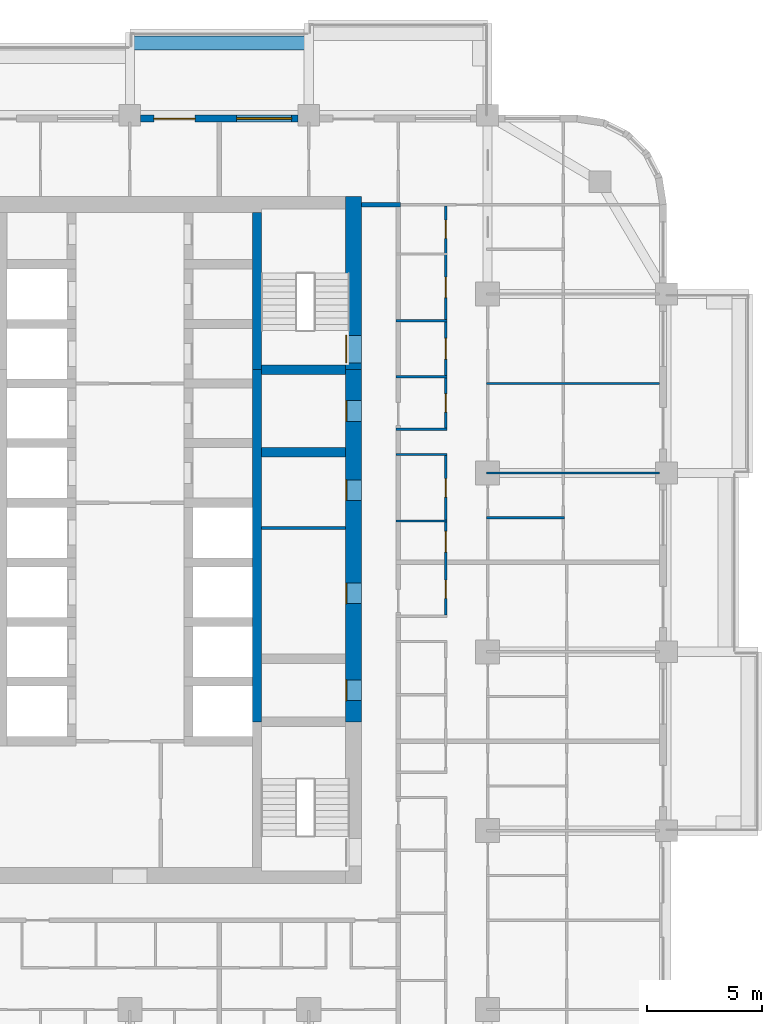
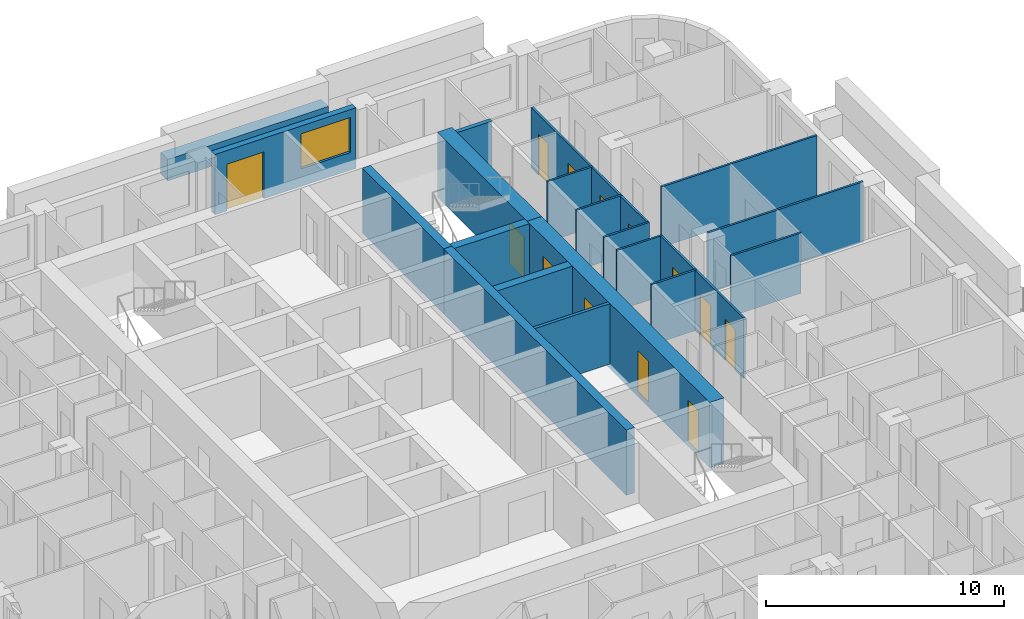
# One storey, part 12 of 17: 20 walls, 13 doors, 1 window, 14 openings.
"""IFC4 building model written with IfcOpenShell, lengths in metres."""

from ifc_helpers import new_model, si_unit, direction, frame, frame_2d, origin, place, context, subcontext, project, spatial, rectangle, extrude, material, layer, layer_set, type_object, element, fill, save


model = new_model("IFC4")

# Units and contexts
model_context = context("Model", 3, precision=1e-05, world=origin(), true_north=direction((0.0, 1.0)))
body_context = subcontext(model_context, "Body", "Model", "MODEL_VIEW")
ifc_project = project(units=[si_unit("LENGTHUNIT", "METRE"), si_unit("AREAUNIT", "SQUARE_METRE"), si_unit("VOLUMEUNIT", "CUBIC_METRE"), si_unit("PLANEANGLEUNIT", "RADIAN"), si_unit("MASSUNIT", "GRAM", prefix="KILO")], contexts=[model_context])

# Site, building, storey
site_placement = place(None, origin())
site = spatial("IfcSite", under=ifc_project, at=site_placement, CompositionType="ELEMENT")
building_placement = place(site_placement, origin())
building = spatial("IfcBuilding", under=site, at=building_placement, Name="Ludao Terraces", CompositionType="ELEMENT")
storey_placement = place(building_placement, frame((0.0, 0.0, 92.0)))
storey = spatial("IfcBuildingStorey", under=building, at=storey_placement, Name="L25", CompositionType="ELEMENT", Elevation=92.0)

# Wall, openings, doors
ifc_material_1 = material(Name="Concrete C70", Category="concrete")
ifc_layer_1 = layer(ifc_material_1, 0.699951171875)
ifc_layer_set_1 = layer_set([ifc_layer_1], Name="Core wall 700 C70")
wall_type_1 = type_object("IfcWallType", Name="Core wall 700 C70", PredefinedType="SOLIDWALL", material=ifc_layer_set_1)
wall_1_placement = place(storey_placement, frame((94.75, 61.949951171875, -0.25), z_axis=(0.0, 0.0, 1.0), x_axis=(0.0, 1.0, 0.0)))
wall_1 = element("IfcWall", 1, at=wall_1_placement, inside=storey, type_object=wall_type_1, Name="Core wall L25 outer-E", PredefinedType="SOLIDWALL", context=body_context, shape_type="SweptSolid", body=[
    extrude(rectangle(XDim=15.35009765625, YDim=0.699951171875, at=frame_2d((7.675048828125, 0.0))), origin(), (0.0, 0.0, 1.0), 3.35009765625),
])
opening_1_placement = place(wall_1_placement, frame((0.925048828125, 0.0, 0.25)))
opening_1 = element("IfcOpeningElement", 2, at=opening_1_placement, cuts=wall_1, Name="Opening R07-080", PredefinedType="OPENING", context=body_context, shape_type="SweptSolid", body=[
    extrude(rectangle(XDim=0.89990234375, YDim=2.10009765625, at=frame_2d((0.449951171875, 1.050048828125))), frame((0.0, 0.35986328125, 0.0), z_axis=(0.0, -1.0, 0.0), x_axis=(1.0, 0.0, 0.0)), (0.0, 0.0, 1.0), 0.719970703125),
])
opening_2_placement = place(wall_1_placement, frame((5.14990234375, 0.0, 0.25)))
opening_2 = element("IfcOpeningElement", 3, at=opening_2_placement, cuts=wall_1, Name="Opening R07-091", PredefinedType="OPENING", context=body_context, shape_type="SweptSolid", body=[
    extrude(rectangle(XDim=0.89990234375, YDim=2.10009765625, at=frame_2d((0.449951171875, 1.050048828125))), frame((0.0, 0.35986328125, 0.0), z_axis=(0.0, -1.0, 0.0), x_axis=(1.0, 0.0, 0.0)), (0.0, 0.0, 1.0), 0.719970703125),
])
opening_3_placement = place(wall_1_placement, frame((9.64990234375, 0.0, 0.25)))
opening_3 = element("IfcOpeningElement", 4, at=opening_3_placement, cuts=wall_1, Name="Opening R07-108", PredefinedType="OPENING", context=body_context, shape_type="SweptSolid", body=[
    extrude(rectangle(XDim=0.89990234375, YDim=2.10009765625, at=frame_2d((0.449951171875, 1.050048828125))), frame((0.0, 0.35986328125, 0.0), z_axis=(0.0, -1.0, 0.0), x_axis=(1.0, 0.0, 0.0)), (0.0, 0.0, 1.0), 0.719970703125),
])
opening_4_placement = place(wall_1_placement, frame((13.10009765625, 0.0, 0.25)))
opening_4 = element("IfcOpeningElement", 5, at=opening_4_placement, cuts=wall_1, Name="Opening R07-120", PredefinedType="OPENING", context=body_context, shape_type="SweptSolid", body=[
    extrude(rectangle(XDim=0.89990234375, YDim=2.10009765625, at=frame_2d((0.449951171875, 1.050048828125))), frame((0.0, 0.35986328125, 0.0), z_axis=(0.0, -1.0, 0.0), x_axis=(1.0, 0.0, 0.0)), (0.0, 0.0, 1.0), 0.719970703125),
])
ifc_material_2 = material(Name="Steel Q235", Category="steel")
door_type_1 = type_object("IfcDoorType", Name="INT Riser door 900", OperationType="SINGLE_SWING_LEFT", PredefinedType="DOOR", material=ifc_material_2)
door_1_placement = place(opening_1_placement, origin())
door_1 = element("IfcDoor", 6, at=door_1_placement, inside=storey, type_object=door_type_1, Name="DOOR 080", OperationType="SINGLE_SWING_RIGHT", OverallHeight=2.10009765625, OverallWidth=0.89990234375, PredefinedType="DOOR", context=body_context, shape_type="SweptSolid", body=[
    extrude(rectangle(XDim=0.89990234375, YDim=2.10009765625, at=frame_2d((0.449951171875, 1.050048828125))), frame((0.0, 0.3349609375, 0.0), z_axis=(0.0, -1.0, 0.0), x_axis=(1.0, 0.0, 0.0)), (0.0, 0.0, 1.0), 0.050048828125),
])
fill(opening_1, door_1)
door_2_placement = place(opening_4_placement, origin())
door_2 = element("IfcDoor", 7, at=door_2_placement, inside=storey, type_object=door_type_1, Name="DOOR 120", OperationType="SINGLE_SWING_LEFT", OverallHeight=2.10009765625, OverallWidth=0.89990234375, PredefinedType="DOOR", context=body_context, shape_type="SweptSolid", body=[
    extrude(rectangle(XDim=0.89990234375, YDim=2.10009765625, at=frame_2d((0.449951171875, 1.050048828125))), frame((0.0, 0.3349609375, 0.0), z_axis=(0.0, -1.0, 0.0), x_axis=(1.0, 0.0, 0.0)), (0.0, 0.0, 1.0), 0.050048828125),
])
fill(opening_4, door_2)
ifc_material_3 = material(Name="Timber door leaf", Category="wood")
door_type_2 = type_object("IfcDoorType", Name="INT Room door 900", OperationType="SINGLE_SWING_LEFT", PredefinedType="DOOR", material=ifc_material_3)
door_3_placement = place(opening_2_placement, origin())
door_3 = element("IfcDoor", 8, at=door_3_placement, inside=storey, type_object=door_type_2, Name="DOOR 091", OperationType="SINGLE_SWING_LEFT", OverallHeight=2.10009765625, OverallWidth=0.89990234375, PredefinedType="DOOR", context=body_context, shape_type="SweptSolid", body=[
    extrude(rectangle(XDim=0.89990234375, YDim=2.10009765625, at=frame_2d((0.449951171875, 1.050048828125))), frame((0.0, 0.3349609375, 0.0), z_axis=(0.0, -1.0, 0.0), x_axis=(1.0, 0.0, 0.0)), (0.0, 0.0, 1.0), 0.050048828125),
])
fill(opening_2, door_3)
door_4_placement = place(opening_3_placement, origin())
door_4 = element("IfcDoor", 9, at=door_4_placement, inside=storey, type_object=door_type_2, Name="DOOR 108", OperationType="SINGLE_SWING_RIGHT", OverallHeight=2.10009765625, OverallWidth=0.89990234375, PredefinedType="DOOR", context=body_context, shape_type="SweptSolid", body=[
    extrude(rectangle(XDim=0.89990234375, YDim=2.10009765625, at=frame_2d((0.449951171875, 1.050048828125))), frame((0.0, 0.3349609375, 0.0), z_axis=(0.0, -1.0, 0.0), x_axis=(1.0, 0.0, 0.0)), (0.0, 0.0, 1.0), 0.050048828125),
])
fill(opening_3, door_4)

# Wall, opening, door
wall_2_placement = place(storey_placement, frame((94.75, 77.300048828125, -0.25), z_axis=(0.0, 0.0, 1.0), x_axis=(0.0, 1.0, 0.0)))
wall_2 = element("IfcWall", 10, at=wall_2_placement, inside=storey, type_object=wall_type_1, Name="Core wall L25 outer-E-S2", PredefinedType="SOLIDWALL", context=body_context, shape_type="SweptSolid", body=[
    extrude(rectangle(XDim=7.550048828125, YDim=0.699951171875, at=frame_2d((3.77490234375, 0.0))), origin(), (0.0, 0.0, 1.0), 3.35009765625),
])
opening_5_placement = place(wall_2_placement, frame((0.300048828125, 0.0, 0.25)))
opening_5 = element("IfcOpeningElement", 11, at=opening_5_placement, cuts=wall_2, Name="Opening R07-132", PredefinedType="OPENING", context=body_context, shape_type="SweptSolid", body=[
    extrude(rectangle(XDim=1.199951171875, YDim=2.10009765625, at=frame_2d((0.60009765625, 1.050048828125))), frame((0.0, 0.35986328125, 0.0), z_axis=(0.0, -1.0, 0.0), x_axis=(1.0, 0.0, 0.0)), (0.0, 0.0, 1.0), 0.719970703125),
])
door_type_3 = type_object("IfcDoorType", Name="INT Stair door 1200", OperationType="DOUBLE_DOOR_SINGLE_SWING", PredefinedType="DOOR", material=ifc_material_2)
door_5_placement = place(opening_5_placement, origin())
door_5 = element("IfcDoor", 12, at=door_5_placement, inside=storey, type_object=door_type_3, Name="DOOR 132", OperationType="DOUBLE_DOOR_SINGLE_SWING", OverallHeight=2.10009765625, OverallWidth=1.199951171875, PredefinedType="DOOR", context=body_context, shape_type="SweptSolid", body=[
    extrude(rectangle(XDim=1.199951171875, YDim=2.10009765625, at=frame_2d((0.60009765625, 1.050048828125))), frame((0.0, 0.3349609375, 0.0), z_axis=(0.0, -1.0, 0.0), x_axis=(1.0, 0.0, 0.0)), (0.0, 0.0, 1.0), 0.050048828125),
])
fill(opening_5, door_5)

# Wall
ifc_material_4 = material(Name="Concrete C40", Category="concrete")
ifc_layer_2 = layer(ifc_material_4, 0.60009765625)
ifc_layer_set_2 = layer_set([ifc_layer_2], Name="ENV Planter trough 600")
wall_type_2 = type_object("IfcWallType", Name="ENV Planter trough 600", PredefinedType="USERDEFINED", material=ifc_layer_set_2)
wall_3_placement = place(storey_placement, frame((85.0, 91.550048828125, 0.0), z_axis=(0.0, 0.0, 1.0), x_axis=(1.0, 0.0, 0.0)))
element("IfcWall", 13, at=wall_3_placement, inside=storey, type_object=wall_type_2, Name="PL-L25-N3", ObjectType="PLANTER", PredefinedType="USERDEFINED", context=body_context, shape_type="SweptSolid", body=[
    extrude(rectangle(XDim=7.800048828125, YDim=0.60009765625, at=frame_2d((3.89990234375, 0.0))), origin(), (0.0, 0.0, 1.0), 1.10009765625),
])

# Wall, openings, door, window
ifc_material_5 = material(Name="Granite cladding", Category="masonry")
ifc_layer_3 = layer(ifc_material_5, 0.0400390625, Category="stone")
ifc_material_6 = material(Name="Mineral wool")
ifc_layer_4 = layer(ifc_material_6, 0.06005859375)
ifc_layer_5 = layer(ifc_material_4, 0.199951171875, Category="concrete")
ifc_layer_set_3 = layer_set([ifc_layer_3, ifc_layer_4, ifc_layer_5], Name="ENV Stone-clad wall 300")
wall_type_3 = type_object("IfcWallType", Name="ENV Stone-clad wall 300", PredefinedType="SOLIDWALL", material=ifc_layer_set_3)
wall_4_placement = place(storey_placement, frame((85.47509765625, 88.25, 0.0), z_axis=(0.0, 0.0, 1.0), x_axis=(1.0, 0.0, 0.0)))
wall_4 = element("IfcWall", 14, at=wall_4_placement, inside=storey, type_object=wall_type_3, Name="EW-L25-N4", PredefinedType="SOLIDWALL", context=body_context, shape_type="SweptSolid", body=[
    extrude(rectangle(XDim=6.849853515625, YDim=0.300048828125, at=frame_2d((3.4248046875, 0.0))), origin(), (0.0, 0.0, 1.0), 3.10009765625),
])
opening_6_placement = place(wall_4_placement, frame((0.574951171875, 0.0, 0.0)))
opening_6 = element("IfcOpeningElement", 15, at=opening_6_placement, cuts=wall_4, Name="Opening BD", PredefinedType="OPENING", context=body_context, shape_type="SweptSolid", body=[
    extrude(rectangle(XDim=1.800048828125, YDim=2.39990234375, at=frame_2d((0.89990234375, 1.199951171875))), frame((0.0, 0.16015625, 0.0), z_axis=(0.0, -1.0, 0.0), x_axis=(1.0, 0.0, 0.0)), (0.0, 0.0, 1.0), 0.320068359375),
])
opening_7_placement = place(wall_4_placement, frame((4.175048828125, 0.0, 0.89990234375)))
opening_7 = element("IfcOpeningElement", 16, at=opening_7_placement, cuts=wall_4, Name="Opening W1", PredefinedType="OPENING", context=body_context, shape_type="SweptSolid", body=[
    extrude(rectangle(XDim=2.39990234375, YDim=1.800048828125, at=frame_2d((1.199951171875, 0.89990234375))), frame((0.0, 0.16015625, 0.0), z_axis=(0.0, -1.0, 0.0), x_axis=(1.0, 0.0, 0.0)), (0.0, 0.0, 1.0), 0.320068359375),
])
ifc_material_7 = material(Name="Aluminium glazed door", Category="aluminium")
ifc_layer_6 = layer(ifc_material_7, 0.06005859375)
ifc_layer_set_4 = layer_set([ifc_layer_6], Name="ENV Balcony door BD 1800x2400")
door_type_4 = type_object("IfcDoorType", Name="ENV Balcony door BD 1800x2400", OperationType="DOUBLE_DOOR_SINGLE_SWING", PredefinedType="DOOR", material=ifc_layer_set_4)
door_6_placement = place(opening_6_placement, origin())
door_6 = element("IfcDoor", 17, at=door_6_placement, inside=storey, type_object=door_type_4, Name="BD-L25-N4-1", OperationType="DOUBLE_DOOR_SINGLE_SWING", OverallHeight=2.39990234375, OverallWidth=1.800048828125, PredefinedType="DOOR", context=body_context, shape_type="SweptSolid", body=[
    extrude(rectangle(XDim=1.800048828125, YDim=2.39990234375, at=frame_2d((0.89990234375, 1.199951171875))), frame((0.0, 0.02490234375, 0.0), z_axis=(0.0, -1.0, 0.0), x_axis=(1.0, 0.0, 0.0)), (0.0, 0.0, 1.0), 0.050048828125),
])
fill(opening_6, door_6)
ifc_material_8 = material(Name="Clear glass in aluminium frame", Category="aluminium")
ifc_layer_7 = layer(ifc_material_8, 0.06005859375)
ifc_layer_set_5 = layer_set([ifc_layer_7], Name="ENV Window W1 2400x1800")
window_type = type_object("IfcWindowType", Name="ENV Window W1 2400x1800", PartitioningType="DOUBLE_PANEL_VERTICAL", PredefinedType="WINDOW", material=ifc_layer_set_5)
window_placement = place(opening_7_placement, origin())
window = element("IfcWindow", 18, at=window_placement, inside=storey, type_object=window_type, Name="W-L25-N4-2", OverallHeight=1.800048828125, OverallWidth=2.39990234375, PartitioningType="DOUBLE_PANEL_VERTICAL", PredefinedType="WINDOW", context=body_context, shape_type="SweptSolid", body=[
    extrude(rectangle(XDim=2.39990234375, YDim=1.800048828125, at=frame_2d((1.199951171875, 0.89990234375))), frame((0.0, 0.030029296875, 0.0), z_axis=(0.0, -1.0, 0.0), x_axis=(1.0, 0.0, 0.0)), (0.0, 0.0, 1.0), 0.06005859375),
])
fill(opening_7, window)

# Walls
ifc_material_9 = material(Name="Fire-rated gypsum plasterboard", Category="gypsum")
ifc_layer_8 = layer(ifc_material_9, 0.012451171875, Category="gypsum")
ifc_layer_9 = layer(ifc_material_6, 0.10009765625, Name="insulation")
ifc_layer_10 = layer(ifc_material_2, 0.02490234375, Name="stud")
ifc_layer_11 = layer(ifc_material_9, 0.012451171875, Category="gypsum")
ifc_layer_set_6 = layer_set([ifc_layer_8, ifc_layer_9, ifc_layer_10, ifc_layer_11], Name="INT Core partition 150")
wall_type_4 = type_object("IfcWallType", Name="INT Core partition 150", PredefinedType="PARTITIONING", material=ifc_layer_set_6)
wall_5_placement = place(storey_placement, frame((90.75, 70.39990234375, 0.0), z_axis=(0.0, 0.0, 1.0), x_axis=(1.0, 0.0, 0.0)))
element("IfcWall", 19, at=wall_5_placement, inside=storey, type_object=wall_type_4, Name="PW-L25-PW048", PredefinedType="PARTITIONING", context=body_context, shape_type="SweptSolid", body=[
    extrude(rectangle(XDim=3.650146484375, YDim=0.14990234375, at=frame_2d((1.8251953125, 0.0))), origin(), (0.0, 0.0, 1.0), 3.10009765625),
])
ifc_material_10 = material(Name="Autoclaved aerated concrete block B06 A3.5", Category="concrete")
ifc_layer_12 = layer(ifc_material_10, 0.199951171875)
ifc_layer_set_7 = layer_set([ifc_layer_12], Name="INT Entrance wall 200")
wall_type_5 = type_object("IfcWallType", Name="INT Entrance wall 200", PredefinedType="PARTITIONING", material=ifc_layer_set_7)
wall_6_placement = place(storey_placement, frame((95.10009765625, 84.5, 0.0), z_axis=(0.0, 0.0, 1.0), x_axis=(1.0, 0.0, 0.0)))
element("IfcWall", 20, at=wall_6_placement, inside=storey, type_object=wall_type_5, Name="PW-L25-PW077", PredefinedType="PARTITIONING", context=body_context, shape_type="SweptSolid", body=[
    extrude(rectangle(XDim=1.699951171875, YDim=0.199951171875, at=frame_2d((0.85009765625, 0.0))), origin(), (0.0, 0.0, 1.0), 3.10009765625),
])
ifc_material_11 = material(Name="Gypsum plasterboard", Category="gypsum")
ifc_layer_13 = layer(ifc_material_11, 0.012451171875, Category="gypsum")
ifc_layer_14 = layer(ifc_material_6, 0.06005859375, Name="insulation")
ifc_layer_15 = layer(ifc_material_2, 0.014892578125, Name="stud")
ifc_layer_16 = layer(ifc_material_11, 0.012451171875, Category="gypsum")
ifc_layer_set_8 = layer_set([ifc_layer_13, ifc_layer_14, ifc_layer_15, ifc_layer_16], Name="INT Partition 100")
wall_type_6 = type_object("IfcWallType", Name="INT Partition 100", PredefinedType="PARTITIONING", material=ifc_layer_set_8)
wall_7_placement = place(storey_placement, frame((96.60009765625, 70.699951171875, 0.0), z_axis=(0.0, 0.0, 1.0), x_axis=(1.0, 0.0, 0.0)))
element("IfcWall", 21, at=wall_7_placement, inside=storey, type_object=wall_type_6, Name="PW-L25-PW049", PredefinedType="PARTITIONING", context=body_context, shape_type="SweptSolid", body=[
    extrude(rectangle(XDim=2.219970703125, YDim=0.10009765625, at=frame_2d((1.10986328125, 0.0))), origin(), (0.0, 0.0, 1.0), 3.10009765625),
])
wall_8_placement = place(storey_placement, frame((100.550048828125, 70.85009765625, 0.0), z_axis=(0.0, 0.0, 1.0), x_axis=(1.0, 0.0, 0.0)))
element("IfcWall", 22, at=wall_8_placement, inside=storey, type_object=wall_type_6, Name="PW-L25-PW051", PredefinedType="PARTITIONING", context=body_context, shape_type="SweptSolid", body=[
    extrude(rectangle(XDim=3.400146484375, YDim=0.10009765625, at=frame_2d((1.7001953125, 0.0))), origin(), (0.0, 0.0, 1.0), 3.10009765625),
])
wall_9_placement = place(storey_placement, frame((100.550048828125, 72.800048828125, 0.0), z_axis=(0.0, 0.0, 1.0), x_axis=(1.0, 0.0, 0.0)))
element("IfcWall", 23, at=wall_9_placement, inside=storey, type_object=wall_type_6, Name="PW-L25-PW055", PredefinedType="PARTITIONING", context=body_context, shape_type="SweptSolid", body=[
    extrude(rectangle(XDim=7.550048828125, YDim=0.10009765625, at=frame_2d((3.77490234375, 0.0))), origin(), (0.0, 0.0, 1.0), 3.10009765625),
])
for number, where, z_axis, x_axis, name in (
    (24, (96.60009765625, 73.60009765625, 0.0), (0.0, 0.0, 1.0), (1.0, 0.0, 0.0), "PW-L25-PW056"),
    (25, (96.60009765625, 74.699951171875, 0.0), (0.0, 0.0, 1.0), (1.0, 0.0, 0.0), "PW-L25-PW058"),
):
    element("IfcWall", number, at=place(storey_placement, frame(where, z_axis=z_axis, x_axis=x_axis)), inside=storey, type_object=wall_type_6, Name=name, PredefinedType="PARTITIONING", context=body_context, shape_type="SweptSolid", body=[
        extrude(rectangle(XDim=2.219970703125, YDim=0.10009765625, at=frame_2d((1.10986328125, 0.0))), origin(), (0.0, 0.0, 1.0), 3.10009765625),
    ])
wall_10_placement = place(storey_placement, frame((100.550048828125, 76.699951171875, 0.0), z_axis=(0.0, 0.0, 1.0), x_axis=(1.0, 0.0, 0.0)))
element("IfcWall", 26, at=wall_10_placement, inside=storey, type_object=wall_type_6, Name="PW-L25-PW063", PredefinedType="PARTITIONING", context=body_context, shape_type="SweptSolid", body=[
    extrude(rectangle(XDim=7.550048828125, YDim=0.10009765625, at=frame_2d((3.77490234375, 0.0))), origin(), (0.0, 0.0, 1.0), 3.10009765625),
])
for number, where, z_axis, x_axis, name in (
    (27, (96.60009765625, 77.0, 0.0), (0.0, 0.0, 1.0), (1.0, 0.0, 0.0), "PW-L25-PW064"),
    (28, (96.60009765625, 79.429931640625, 0.0), (0.0, 0.0, 1.0), (1.0, 0.0, 0.0), "PW-L25-PW067"),
):
    element("IfcWall", number, at=place(storey_placement, frame(where, z_axis=z_axis, x_axis=x_axis)), inside=storey, type_object=wall_type_6, Name=name, PredefinedType="PARTITIONING", context=body_context, shape_type="SweptSolid", body=[
        extrude(rectangle(XDim=2.219970703125, YDim=0.10009765625, at=frame_2d((1.10986328125, 0.0))), origin(), (0.0, 0.0, 1.0), 3.10009765625),
    ])

# Wall, openings, doors
wall_11_placement = place(storey_placement, frame((98.77001953125, 66.60009765625, 0.0), z_axis=(0.0, 0.0, 1.0), x_axis=(0.0, 1.0, 0.0)))
wall_11 = element("IfcWall", 29, at=wall_11_placement, inside=storey, type_object=wall_type_6, Name="PW-L25-PW119", PredefinedType="PARTITIONING", context=body_context, shape_type="SweptSolid", body=[
    extrude(rectangle(XDim=6.949951171875, YDim=0.10009765625, at=frame_2d((3.47509765625, 0.0))), origin(), (0.0, 0.0, 1.0), 3.10009765625),
])
opening_8_placement = place(wall_11_placement, frame((0.72509765625, 0.0, 0.0)))
opening_8 = element("IfcOpeningElement", 30, at=opening_8_placement, cuts=wall_11, Name="Opening R07-093", PredefinedType="OPENING", context=body_context, shape_type="SweptSolid", body=[
    extrude(rectangle(XDim=0.800048828125, YDim=2.10009765625, at=frame_2d((0.39990234375, 1.050048828125))), frame((0.0, 0.06005859375, 0.0), z_axis=(0.0, -1.0, 0.0), x_axis=(1.0, 0.0, 0.0)), (0.0, 0.0, 1.0), 0.1201171875),
])
opening_9_placement = place(wall_11_placement, frame((2.75, 0.0, 0.0)))
opening_9 = element("IfcOpeningElement", 31, at=opening_9_placement, cuts=wall_11, Name="Opening R07-097", PredefinedType="OPENING", context=body_context, shape_type="SweptSolid", body=[
    extrude(rectangle(XDim=0.89990234375, YDim=2.10009765625, at=frame_2d((0.449951171875, 1.050048828125))), frame((0.0, 0.06005859375, 0.0), z_axis=(0.0, -1.0, 0.0), x_axis=(1.0, 0.0, 0.0)), (0.0, 0.0, 1.0), 0.1201171875),
])
opening_10_placement = place(wall_11_placement, frame((5.14990234375, 0.0, 0.0)))
opening_10 = element("IfcOpeningElement", 32, at=opening_10_placement, cuts=wall_11, Name="Opening R07-109", PredefinedType="OPENING", context=body_context, shape_type="SweptSolid", body=[
    extrude(rectangle(XDim=0.800048828125, YDim=2.10009765625, at=frame_2d((0.39990234375, 1.050048828125))), frame((0.0, 0.06005859375, 0.0), z_axis=(0.0, -1.0, 0.0), x_axis=(1.0, 0.0, 0.0)), (0.0, 0.0, 1.0), 0.1201171875),
])
door_type_5 = type_object("IfcDoorType", Name="INT Bathroom door 900", OperationType="SINGLE_SWING_LEFT", PredefinedType="DOOR", material=ifc_material_3)
door_7_placement = place(opening_9_placement, origin())
door_7 = element("IfcDoor", 33, at=door_7_placement, inside=storey, type_object=door_type_5, Name="DOOR 097", OperationType="SINGLE_SWING_LEFT", OverallHeight=2.10009765625, OverallWidth=0.89990234375, PredefinedType="DOOR", context=body_context, shape_type="SweptSolid", body=[
    extrude(rectangle(XDim=0.89990234375, YDim=2.10009765625, at=frame_2d((0.449951171875, 1.050048828125))), frame((0.0, 0.02490234375, 0.0), z_axis=(0.0, -1.0, 0.0), x_axis=(1.0, 0.0, 0.0)), (0.0, 0.0, 1.0), 0.050048828125),
])
fill(opening_9, door_7)
door_type_6 = type_object("IfcDoorType", Name="INT Store door 800", OperationType="SINGLE_SWING_LEFT", PredefinedType="DOOR", material=ifc_material_3)
door_8_placement = place(opening_8_placement, origin())
door_8 = element("IfcDoor", 34, at=door_8_placement, inside=storey, type_object=door_type_6, Name="DOOR 093", OperationType="SINGLE_SWING_RIGHT", OverallHeight=2.10009765625, OverallWidth=0.800048828125, PredefinedType="DOOR", context=body_context, shape_type="SweptSolid", body=[
    extrude(rectangle(XDim=0.800048828125, YDim=2.10009765625, at=frame_2d((0.39990234375, 1.050048828125))), frame((0.0, 0.02490234375, 0.0), z_axis=(0.0, -1.0, 0.0), x_axis=(1.0, 0.0, 0.0)), (0.0, 0.0, 1.0), 0.050048828125),
])
fill(opening_8, door_8)
door_9_placement = place(opening_10_placement, origin())
door_9 = element("IfcDoor", 35, at=door_9_placement, inside=storey, type_object=door_type_6, Name="DOOR 109", OperationType="SINGLE_SWING_RIGHT", OverallHeight=2.10009765625, OverallWidth=0.800048828125, PredefinedType="DOOR", context=body_context, shape_type="SweptSolid", body=[
    extrude(rectangle(XDim=0.800048828125, YDim=2.10009765625, at=frame_2d((0.39990234375, 1.050048828125))), frame((0.0, 0.02490234375, 0.0), z_axis=(0.0, -1.0, 0.0), x_axis=(1.0, 0.0, 0.0)), (0.0, 0.0, 1.0), 0.050048828125),
])
fill(opening_10, door_9)

wall_12_placement = place(storey_placement, frame((98.77001953125, 74.75, 0.0), z_axis=(0.0, 0.0, 1.0), x_axis=(0.0, 1.0, 0.0)))
wall_12 = element("IfcWall", 36, at=wall_12_placement, inside=storey, type_object=wall_type_6, Name="PW-L25-PW120", PredefinedType="PARTITIONING", context=body_context, shape_type="SweptSolid", body=[
    extrude(rectangle(XDim=9.7001953125, YDim=0.10009765625, at=frame_2d((4.85009765625, 0.0))), origin(), (0.0, 0.0, 1.0), 3.10009765625),
])
opening_11_placement = place(wall_12_placement, frame((0.7001953125, 0.0, 0.0)))
opening_11 = element("IfcOpeningElement", 37, at=opening_11_placement, cuts=wall_12, Name="Opening R07-123", PredefinedType="OPENING", context=body_context, shape_type="SweptSolid", body=[
    extrude(rectangle(XDim=0.800048828125, YDim=2.10009765625, at=frame_2d((0.39990234375, 1.050048828125))), frame((0.0, 0.06005859375, 0.0), z_axis=(0.0, -1.0, 0.0), x_axis=(1.0, 0.0, 0.0)), (0.0, 0.0, 1.0), 0.1201171875),
])
opening_12_placement = place(wall_12_placement, frame((3.01513671875, 0.0, 0.0)))
opening_12 = element("IfcOpeningElement", 38, at=opening_12_placement, cuts=wall_12, Name="Opening R07-133", PredefinedType="OPENING", context=body_context, shape_type="SweptSolid", body=[
    extrude(rectangle(XDim=0.89990234375, YDim=2.10009765625, at=frame_2d((0.449951171875, 1.050048828125))), frame((0.0, 0.06005859375, 0.0), z_axis=(0.0, -1.0, 0.0), x_axis=(1.0, 0.0, 0.0)), (0.0, 0.0, 1.0), 0.1201171875),
])
opening_13_placement = place(wall_12_placement, frame((5.690185546875, 0.0, 0.0)))
opening_13 = element("IfcOpeningElement", 39, at=opening_13_placement, cuts=wall_12, Name="Opening R07-141", PredefinedType="OPENING", context=body_context, shape_type="SweptSolid", body=[
    extrude(rectangle(XDim=0.89990234375, YDim=2.10009765625, at=frame_2d((0.449951171875, 1.050048828125))), frame((0.0, 0.06005859375, 0.0), z_axis=(0.0, -1.0, 0.0), x_axis=(1.0, 0.0, 0.0)), (0.0, 0.0, 1.0), 0.1201171875),
])
opening_14_placement = place(wall_12_placement, frame((8.275146484375, 0.0, 0.0)))
opening_14 = element("IfcOpeningElement", 40, at=opening_14_placement, cuts=wall_12, Name="Opening R07-149", PredefinedType="OPENING", context=body_context, shape_type="SweptSolid", body=[
    extrude(rectangle(XDim=0.800048828125, YDim=2.10009765625, at=frame_2d((0.39990234375, 1.050048828125))), frame((0.0, 0.06005859375, 0.0), z_axis=(0.0, -1.0, 0.0), x_axis=(1.0, 0.0, 0.0)), (0.0, 0.0, 1.0), 0.1201171875),
])
door_10_placement = place(opening_12_placement, origin())
door_10 = element("IfcDoor", 41, at=door_10_placement, inside=storey, type_object=door_type_5, Name="DOOR 133", OperationType="SINGLE_SWING_LEFT", OverallHeight=2.10009765625, OverallWidth=0.89990234375, PredefinedType="DOOR", context=body_context, shape_type="SweptSolid", body=[
    extrude(rectangle(XDim=0.89990234375, YDim=2.10009765625, at=frame_2d((0.449951171875, 1.050048828125))), frame((0.0, 0.02490234375, 0.0), z_axis=(0.0, -1.0, 0.0), x_axis=(1.0, 0.0, 0.0)), (0.0, 0.0, 1.0), 0.050048828125),
])
fill(opening_12, door_10)
door_11_placement = place(opening_13_placement, origin())
door_11 = element("IfcDoor", 42, at=door_11_placement, inside=storey, type_object=door_type_2, Name="DOOR 141", OperationType="SINGLE_SWING_LEFT", OverallHeight=2.10009765625, OverallWidth=0.89990234375, PredefinedType="DOOR", context=body_context, shape_type="SweptSolid", body=[
    extrude(rectangle(XDim=0.89990234375, YDim=2.10009765625, at=frame_2d((0.449951171875, 1.050048828125))), frame((0.0, 0.02490234375, 0.0), z_axis=(0.0, -1.0, 0.0), x_axis=(1.0, 0.0, 0.0)), (0.0, 0.0, 1.0), 0.050048828125),
])
fill(opening_13, door_11)
door_12_placement = place(opening_11_placement, origin())
door_12 = element("IfcDoor", 43, at=door_12_placement, inside=storey, type_object=door_type_6, Name="DOOR 123", OperationType="SINGLE_SWING_LEFT", OverallHeight=2.10009765625, OverallWidth=0.800048828125, PredefinedType="DOOR", context=body_context, shape_type="SweptSolid", body=[
    extrude(rectangle(XDim=0.800048828125, YDim=2.10009765625, at=frame_2d((0.39990234375, 1.050048828125))), frame((0.0, 0.02490234375, 0.0), z_axis=(0.0, -1.0, 0.0), x_axis=(1.0, 0.0, 0.0)), (0.0, 0.0, 1.0), 0.050048828125),
])
fill(opening_11, door_12)
door_13_placement = place(opening_14_placement, origin())
door_13 = element("IfcDoor", 44, at=door_13_placement, inside=storey, type_object=door_type_6, Name="DOOR 149", OperationType="SINGLE_SWING_LEFT", OverallHeight=2.10009765625, OverallWidth=0.800048828125, PredefinedType="DOOR", context=body_context, shape_type="SweptSolid", body=[
    extrude(rectangle(XDim=0.800048828125, YDim=2.10009765625, at=frame_2d((0.39990234375, 1.050048828125))), frame((0.0, 0.02490234375, 0.0), z_axis=(0.0, -1.0, 0.0), x_axis=(1.0, 0.0, 0.0)), (0.0, 0.0, 1.0), 0.050048828125),
])
fill(opening_14, door_13)

# Walls
ifc_material_12 = material(Name="Concrete C60", Category="concrete")
ifc_layer_17 = layer(ifc_material_12, 0.39990234375)
ifc_layer_set_9 = layer_set([ifc_layer_17], Name="Shaft wall 400 C60")
wall_type_7 = type_object("IfcWallType", Name="Shaft wall 400 C60", PredefinedType="SOLIDWALL", material=ifc_layer_set_9)
wall_13_placement = place(storey_placement, frame((90.550048828125, 61.949951171875, -0.25), z_axis=(0.0, 0.0, 1.0), x_axis=(0.0, 1.0, 0.0)))
element("IfcWall", 45, at=wall_13_placement, inside=storey, type_object=wall_type_7, Name="Core wall L25 back-E", PredefinedType="SOLIDWALL", context=body_context, shape_type="SweptSolid", body=[
    extrude(rectangle(XDim=15.35009765625, YDim=0.39990234375, at=frame_2d((7.675048828125, 0.0))), origin(), (0.0, 0.0, 1.0), 3.35009765625),
])
wall_14_placement = place(storey_placement, frame((90.550048828125, 77.300048828125, -0.25), z_axis=(0.0, 0.0, 1.0), x_axis=(0.0, 1.0, 0.0)))
element("IfcWall", 46, at=wall_14_placement, inside=storey, type_object=wall_type_7, Name="Core wall L25 back-E-S2", PredefinedType="SOLIDWALL", context=body_context, shape_type="SweptSolid", body=[
    extrude(rectangle(XDim=6.849853515625, YDim=0.39990234375, at=frame_2d((3.4248046875, 0.0))), origin(), (0.0, 0.0, 1.0), 3.35009765625),
])
for number, where, z_axis, x_axis, name in (
    (47, (90.75, 73.699951171875, -0.25), (0.0, 0.0, 1.0), (1.0, 0.0, 0.0), "Core wall L25 riser-b-E"),
    (48, (90.75, 77.300048828125, -0.25), (0.0, 0.0, 1.0), (1.0, 0.0, 0.0), "Core wall L25 stair-E"),
):
    element("IfcWall", number, at=place(storey_placement, frame(where, z_axis=z_axis, x_axis=x_axis)), inside=storey, type_object=wall_type_7, Name=name, PredefinedType="SOLIDWALL", context=body_context, shape_type="SweptSolid", body=[
        extrude(rectangle(XDim=3.64990234375, YDim=0.39990234375, at=frame_2d((1.824951171875, 0.0))), origin(), (0.0, 0.0, 1.0), 3.35009765625),
    ])

save(model, "model.ifc")
